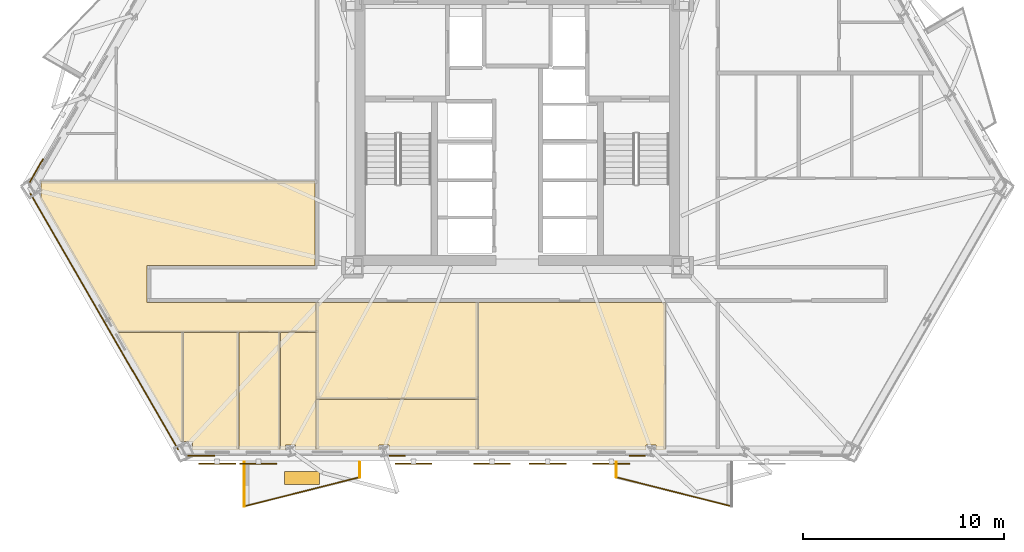
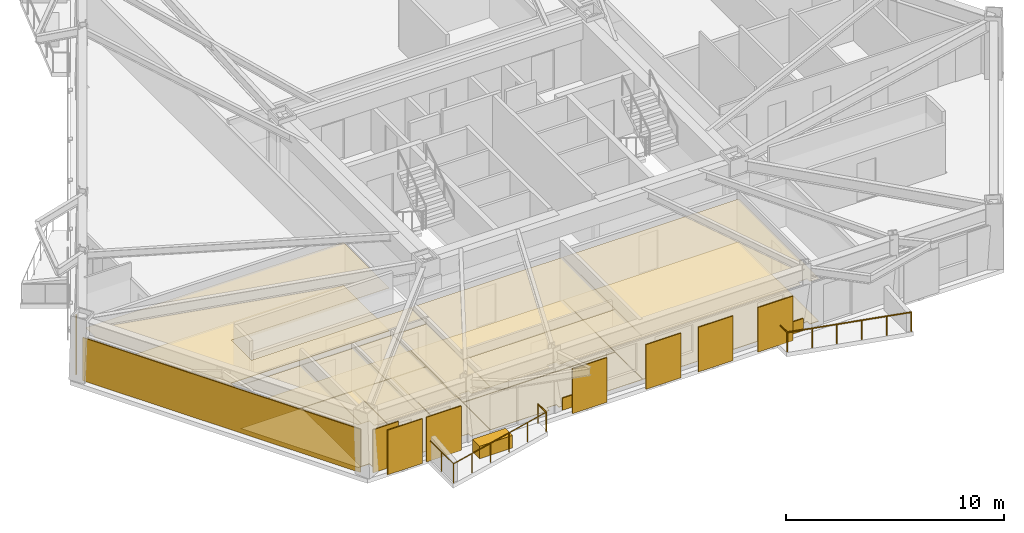
# One storey, part 7 of 13: 22 coverings, 6 shading devices, 5 railings.
"""IFC4 building model written with IfcOpenShell, lengths in metres."""

from ifc_helpers import new_model, si_unit, direction, frame, origin, origin_2d, place, context, subcontext, project, spatial, polyline, rectangle, circle, outline, extrude, material, layer, layer_set, type_object, element, save


model = new_model("IFC4")

# Units and contexts
model_context = context("Model", 3, precision=1e-05, world=origin(), true_north=direction((0.0, 1.0)))
body_context = subcontext(model_context, "Body", "Model", "MODEL_VIEW")
ifc_project = project(units=[si_unit("LENGTHUNIT", "METRE"), si_unit("AREAUNIT", "SQUARE_METRE"), si_unit("VOLUMEUNIT", "CUBIC_METRE"), si_unit("PLANEANGLEUNIT", "RADIAN"), si_unit("MASSUNIT", "GRAM", prefix="KILO")], contexts=[model_context])

# Site, building, storey
site_placement = place(None, origin())
site = spatial("IfcSite", under=ifc_project, at=site_placement, CompositionType="ELEMENT")
building_placement = place(site_placement, origin())
building = spatial("IfcBuilding", under=site, at=building_placement, Name="Oramaril Tower", CompositionType="ELEMENT")
storey_placement = place(building_placement, frame((0.0, 0.0, 41.699951171875)))
storey = spatial("IfcBuildingStorey", under=building, at=storey_placement, Name="L10", CompositionType="ELEMENT", Elevation=41.699951171875)

# Coverings
ifc_material_1 = material(Name="Mineral Fibre Acoustic Ceiling")
ifc_layer_1 = layer(ifc_material_1, 0.02001953125)
ifc_layer_set_1 = layer_set([ifc_layer_1], Name="CVT-CEIL")
covering_type_1 = type_object("IfcCoveringType", Name="CVT-CEIL", PredefinedType="CEILING", material=ifc_layer_set_1)
covering_1_placement = place(storey_placement, frame((0.0, 0.0, 2.400146484375)))
element("IfcCovering", 1, at=covering_1_placement, inside=storey, type_object=covering_type_1, Name="L10 Acoustic Suspended Ceiling 6", PredefinedType="CEILING", context=body_context, shape_type="SweptSolid", body=[
    extrude(outline(polyline([(27.508056640625, 9.199951171875), (35.5419921875, 9.199951171875), (35.5419921875, 4.410888671875), (27.508056640625, 4.410888671875), (27.508056640625, 9.199951171875)])), origin(), (0.0, 0.0, 1.0), 0.02001953125),
])
covering_2_placement = place(storey_placement, frame((0.0, 0.0, 2.400146484375)))
element("IfcCovering", 2, at=covering_2_placement, inside=storey, type_object=covering_type_1, Name="L10 Acoustic Suspended Ceiling 7", PredefinedType="CEILING", context=body_context, shape_type="SweptSolid", body=[
    extrude(outline(polyline([(31.11328125, 2.11474609375), (30.6201171875, 2.11474609375), (30.6201171875, 1.88427734375), (27.508056640625, 1.88427734375), (27.508056640625, 4.390869140625), (35.5419921875, 4.390869140625), (35.5419921875, 1.88427734375), (31.11328125, 1.88427734375), (31.11328125, 2.11474609375)])), origin(), (0.0, 0.0, 1.0), 0.02001953125),
])
covering_3_placement = place(storey_placement, frame((0.0, 0.0, 2.400146484375)))
element("IfcCovering", 3, at=covering_3_placement, inside=storey, type_object=covering_type_1, Name="L10 Acoustic Suspended Ceiling 8", PredefinedType="CEILING", context=body_context, shape_type="SweptSolid", body=[
    extrude(outline(polyline([(44.3798828125, 1.88427734375), (44.3798828125, 2.11474609375), (43.88671875, 2.11474609375), (43.88671875, 1.88427734375), (35.56201171875, 1.88427734375), (35.56201171875, 4.390869140625), (35.56201171875, 4.392822265625), (35.5615234375, 4.394775390625), (35.56103515625, 4.396728515625), (35.560546875, 4.398681640625), (35.5595703125, 4.400390625), (35.559326171875, 4.40087890625), (35.5595703125, 4.401611328125), (35.560546875, 4.4033203125), (35.56103515625, 4.405029296875), (35.5615234375, 4.406982421875), (35.56201171875, 4.408935546875), (35.56201171875, 4.410888671875), (35.56201171875, 9.199951171875), (44.863037109375, 9.199951171875), (44.863037109375, 1.88427734375), (44.3798828125, 1.88427734375)])), origin(), (0.0, 0.0, 1.0), 0.02001953125),
])
covering_4_placement = place(storey_placement, frame((0.0, 0.0, 2.400146484375)))
element("IfcCovering", 4, at=covering_4_placement, inside=storey, type_object=covering_type_1, Name="L10 Acoustic Suspended Ceiling 10", PredefinedType="CEILING", context=body_context, shape_type="SweptSolid", body=[
    extrude(outline(polyline([(17.631103515625, 7.724609375), (13.77197265625, 14.408935546875), (13.835693359375, 14.408935546875), (13.835693359375, 15.241943359375), (27.449951171875, 15.241943359375), (27.449951171875, 11.050048828125), (19.1201171875, 11.050048828125), (19.117919921875, 11.0498046875), (19.1162109375, 11.049560546875), (19.1142578125, 11.049072265625), (19.1123046875, 11.048583984375), (19.110595703125, 11.047607421875), (19.10888671875, 11.046630859375), (19.107421875, 11.04541015625), (19.10595703125, 11.044189453125), (19.1044921875, 11.042724609375), (19.103515625, 11.041015625), (19.102294921875, 11.039306640625), (19.1015625, 11.03759765625), (19.100830078125, 11.035888671875), (19.100341796875, 11.033935546875), (19.10009765625, 11.031982421875), (19.10009765625, 11.030029296875), (19.10009765625, 9.219970703125), (19.10009765625, 9.218017578125), (19.100341796875, 9.216064453125), (19.100830078125, 9.214111328125), (19.1015625, 9.21240234375), (19.102294921875, 9.210693359375), (19.103515625, 9.208984375), (19.1044921875, 9.207275390625), (19.10595703125, 9.205810546875), (19.107421875, 9.20458984375), (19.10888671875, 9.203369140625), (19.110595703125, 9.202392578125), (19.1123046875, 9.201416015625), (19.1142578125, 9.200927734375), (19.1162109375, 9.200439453125), (19.117919921875, 9.2001953125), (19.1201171875, 9.199951171875), (27.488037109375, 9.199951171875), (27.488037109375, 7.724609375), (17.631103515625, 7.724609375)])), origin(), (0.0, 0.0, 1.0), 0.02001953125),
])
covering_5_placement = place(storey_placement, frame((0.0, 0.0, 2.400146484375)))
element("IfcCovering", 5, at=covering_5_placement, inside=storey, type_object=covering_type_1, Name="L10 Acoustic Suspended Ceiling 11", PredefinedType="CEILING", context=body_context, shape_type="SweptSolid", body=[
    extrude(outline(polyline([(20.764404296875, 2.2978515625), (17.642578125, 7.70458984375), (20.899169921875, 7.70458984375), (20.899169921875, 2.2978515625), (20.764404296875, 2.2978515625)])), origin(), (0.0, 0.0, 1.0), 0.02001953125),
])
covering_6_placement = place(storey_placement, frame((0.0, 0.0, 2.400146484375)))
element("IfcCovering", 6, at=covering_6_placement, inside=storey, type_object=covering_type_1, Name="L10 Acoustic Suspended Ceiling 12", PredefinedType="CEILING", context=body_context, shape_type="SweptSolid", body=[
    extrude(outline(polyline([(21.360595703125, 1.88427734375), (21.360595703125, 2.2978515625), (20.919189453125, 2.2978515625), (20.919189453125, 7.70458984375), (23.652099609375, 7.70458984375), (23.652099609375, 1.88427734375), (21.360595703125, 1.88427734375)])), origin(), (0.0, 0.0, 1.0), 0.02001953125),
])
covering_7_placement = place(storey_placement, frame((0.0, 0.0, 2.400146484375)))
element("IfcCovering", 7, at=covering_7_placement, inside=storey, type_object=covering_type_1, Name="L10 Acoustic Suspended Ceiling 13", PredefinedType="CEILING", context=body_context, shape_type="SweptSolid", body=[
    extrude(outline(polyline([(23.672119140625, 1.88427734375), (23.672119140625, 7.70458984375), (25.701904296875, 7.70458984375), (25.701904296875, 1.88427734375), (23.672119140625, 1.88427734375)])), origin(), (0.0, 0.0, 1.0), 0.02001953125),
])
covering_8_placement = place(storey_placement, frame((0.0, 0.0, 2.400146484375)))
element("IfcCovering", 8, at=covering_8_placement, inside=storey, type_object=covering_type_1, Name="L10 Acoustic Suspended Ceiling 14", PredefinedType="CEILING", context=body_context, shape_type="SweptSolid", body=[
    extrude(outline(polyline([(26.476806640625, 1.88427734375), (26.476806640625, 2.11474609375), (25.97021484375, 2.11474609375), (25.97021484375, 1.88427734375), (25.721923828125, 1.88427734375), (25.721923828125, 7.70458984375), (27.488037109375, 7.70458984375), (27.488037109375, 4.410888671875), (27.488037109375, 4.408935546875), (27.48828125, 4.406982421875), (27.489013671875, 4.405029296875), (27.489501953125, 4.4033203125), (27.490478515625, 4.401611328125), (27.49072265625, 4.40087890625), (27.490478515625, 4.400390625), (27.489501953125, 4.398681640625), (27.489013671875, 4.396728515625), (27.48828125, 4.394775390625), (27.488037109375, 4.392822265625), (27.488037109375, 4.390869140625), (27.488037109375, 1.88427734375), (26.476806640625, 1.88427734375)])), origin(), (0.0, 0.0, 1.0), 0.02001953125),
])
ifc_material_2 = material(Name="Warm Cream Limestone", Category="masonry")
ifc_layer_2 = layer(ifc_material_2, 0.050048828125)
ifc_layer_set_2 = layer_set([ifc_layer_2], Name="CVT-CLD")
covering_type_2 = type_object("IfcCoveringType", Name="CVT-CLD", PredefinedType="CLADDING", material=ifc_layer_set_2)
covering_9_placement = place(storey_placement, frame((16.97900390625, 8.252197265625, 0.0400390625), z_axis=(0.0, 0.0, 1.0), x_axis=(0.499996976998, -0.866027149108, 0.0)))
element("IfcCovering", 9, at=covering_9_placement, inside=storey, type_object=covering_type_2, Name="L10 Warm Cream Limestone Cladding", PredefinedType="CLADDING", context=body_context, shape_type="SweptSolid", body=[
    extrude(rectangle(XDim=14.67822265625, YDim=0.050048828125, at=origin_2d()), origin(), (0.0, 0.0, 1.0), 2.4140625),
])
covering_10_placement = place(storey_placement, frame((21.790771484375, 1.583251953125, 0.0400390625), z_axis=(0.0, 0.0, 1.0), x_axis=(1.0, 0.0, 0.0)))
element("IfcCovering", 10, at=covering_10_placement, inside=storey, type_object=covering_type_2, Name="L10 Warm Cream Limestone Cladding", PredefinedType="CLADDING", context=body_context, shape_type="SweptSolid", body=[
    extrude(rectangle(XDim=1.35009765625, YDim=0.050048828125, at=origin_2d()), origin(), (0.0, 0.0, 1.0), 2.4140625),
])
for number, where, z_axis, x_axis, name in (
    (11, (31.538818359375, 1.583251953125, 0.0400390625), (0.0, 0.0, 1.0), (1.0, 0.0, 0.0), "L10 Warm Cream Limestone Spandrel Cladding"),
    (12, (43.461181640625, 1.583251953125, 0.0400390625), (0.0, 0.0, 1.0), (1.0, 0.0, 0.0), "L10 Warm Cream Limestone Spandrel Cladding"),
):
    element("IfcCovering", number, at=place(storey_placement, frame(where, z_axis=z_axis, x_axis=x_axis)), inside=storey, type_object=covering_type_2, Name=name, PredefinedType="CLADDING", context=body_context, shape_type="SweptSolid", body=[
        extrude(rectangle(XDim=0.800048828125, YDim=0.050048828125, at=origin_2d()), origin(), (0.0, 0.0, 1.0), 0.679931640625),
    ])
covering_11_placement = place(storey_placement, frame((13.609619140625, 15.753662109375, 0.0400390625), z_axis=(0.0, 0.0, 1.0), x_axis=(-0.5, -0.866025403784, 0.0)))
element("IfcCovering", 13, at=covering_11_placement, inside=storey, type_object=covering_type_2, Name="L10 Warm Cream Limestone Cladding", PredefinedType="CLADDING", context=body_context, shape_type="SweptSolid", body=[
    extrude(rectangle(XDim=1.35009765625, YDim=0.050048828125, at=origin_2d()), origin(), (0.0, 0.0, 1.0), 2.4140625),
])
covering_12_placement = place(storey_placement, frame((26.800048828125, 0.479736328125, 0.0), z_axis=(0.0, 0.0, 1.0), x_axis=(1.0, 0.0, 0.0)))
element("IfcCovering", 14, at=covering_12_placement, inside=storey, type_object=covering_type_2, Name="L10 Structural Tree Planter Box L10-BAL-S1", PredefinedType="CLADDING", context=body_context, shape_type="SweptSolid", body=[
    extrude(rectangle(XDim=1.75, YDim=0.64990234375, at=origin_2d()), origin(), (0.0, 0.0, 1.0), 0.699951171875),
])
ifc_material_3 = material(Name="Honed Quartzite Stone Flooring", Category="masonry")
ifc_layer_3 = layer(ifc_material_3, 0.02490234375)
ifc_layer_set_3 = layer_set([ifc_layer_3], Name="CVT-FLR")
covering_type_3 = type_object("IfcCoveringType", Name="CVT-FLR", PredefinedType="FLOORING", material=ifc_layer_set_3)
covering_13_placement = place(storey_placement, origin())
element("IfcCovering", 15, at=covering_13_placement, inside=storey, type_object=covering_type_3, Name="L10 Honed Stone Floor Finish 6", PredefinedType="FLOORING", context=body_context, shape_type="SweptSolid", body=[
    extrude(outline(polyline([(27.508056640625, 9.199951171875), (35.5419921875, 9.199951171875), (35.5419921875, 4.410888671875), (27.508056640625, 4.410888671875), (27.508056640625, 9.199951171875)])), origin(), (0.0, 0.0, 1.0), 0.025146484375),
])
covering_14_placement = place(storey_placement, origin())
element("IfcCovering", 16, at=covering_14_placement, inside=storey, type_object=covering_type_3, Name="L10 Honed Stone Floor Finish 7", PredefinedType="FLOORING", context=body_context, shape_type="SweptSolid", body=[
    extrude(outline(polyline([(31.11328125, 2.11474609375), (30.6201171875, 2.11474609375), (30.6201171875, 1.88427734375), (27.508056640625, 1.88427734375), (27.508056640625, 4.390869140625), (35.5419921875, 4.390869140625), (35.5419921875, 1.88427734375), (31.11328125, 1.88427734375), (31.11328125, 2.11474609375)])), origin(), (0.0, 0.0, 1.0), 0.025146484375),
])
covering_15_placement = place(storey_placement, origin())
element("IfcCovering", 17, at=covering_15_placement, inside=storey, type_object=covering_type_3, Name="L10 Honed Stone Floor Finish 8", PredefinedType="FLOORING", context=body_context, shape_type="SweptSolid", body=[
    extrude(outline(polyline([(44.3798828125, 1.88427734375), (44.3798828125, 2.11474609375), (43.88671875, 2.11474609375), (43.88671875, 1.88427734375), (35.56201171875, 1.88427734375), (35.56201171875, 4.390869140625), (35.56201171875, 4.392822265625), (35.5615234375, 4.394775390625), (35.56103515625, 4.396728515625), (35.560546875, 4.398681640625), (35.5595703125, 4.400390625), (35.559326171875, 4.40087890625), (35.5595703125, 4.401611328125), (35.560546875, 4.4033203125), (35.56103515625, 4.405029296875), (35.5615234375, 4.406982421875), (35.56201171875, 4.408935546875), (35.56201171875, 4.410888671875), (35.56201171875, 9.199951171875), (44.863037109375, 9.199951171875), (44.863037109375, 1.88427734375), (44.3798828125, 1.88427734375)])), origin(), (0.0, 0.0, 1.0), 0.025146484375),
])
covering_16_placement = place(storey_placement, origin())
element("IfcCovering", 18, at=covering_16_placement, inside=storey, type_object=covering_type_3, Name="L10 Honed Stone Floor Finish 10", PredefinedType="FLOORING", context=body_context, shape_type="SweptSolid", body=[
    extrude(outline(polyline([(17.631103515625, 7.724609375), (13.77197265625, 14.408935546875), (13.835693359375, 14.408935546875), (13.835693359375, 15.241943359375), (27.449951171875, 15.241943359375), (27.449951171875, 11.050048828125), (19.1201171875, 11.050048828125), (19.117919921875, 11.0498046875), (19.1162109375, 11.049560546875), (19.1142578125, 11.049072265625), (19.1123046875, 11.048583984375), (19.110595703125, 11.047607421875), (19.10888671875, 11.046630859375), (19.107421875, 11.04541015625), (19.10595703125, 11.044189453125), (19.1044921875, 11.042724609375), (19.103515625, 11.041015625), (19.102294921875, 11.039306640625), (19.1015625, 11.03759765625), (19.100830078125, 11.035888671875), (19.100341796875, 11.033935546875), (19.10009765625, 11.031982421875), (19.10009765625, 11.030029296875), (19.10009765625, 9.219970703125), (19.10009765625, 9.218017578125), (19.100341796875, 9.216064453125), (19.100830078125, 9.214111328125), (19.1015625, 9.21240234375), (19.102294921875, 9.210693359375), (19.103515625, 9.208984375), (19.1044921875, 9.207275390625), (19.10595703125, 9.205810546875), (19.107421875, 9.20458984375), (19.10888671875, 9.203369140625), (19.110595703125, 9.202392578125), (19.1123046875, 9.201416015625), (19.1142578125, 9.200927734375), (19.1162109375, 9.200439453125), (19.117919921875, 9.2001953125), (19.1201171875, 9.199951171875), (27.488037109375, 9.199951171875), (27.488037109375, 7.724609375), (17.631103515625, 7.724609375)])), origin(), (0.0, 0.0, 1.0), 0.025146484375),
])
covering_17_placement = place(storey_placement, origin())
element("IfcCovering", 19, at=covering_17_placement, inside=storey, type_object=covering_type_3, Name="L10 Honed Stone Floor Finish 11", PredefinedType="FLOORING", context=body_context, shape_type="SweptSolid", body=[
    extrude(outline(polyline([(20.764404296875, 2.2978515625), (17.642578125, 7.70458984375), (20.899169921875, 7.70458984375), (20.899169921875, 2.2978515625), (20.764404296875, 2.2978515625)])), origin(), (0.0, 0.0, 1.0), 0.025146484375),
])
covering_18_placement = place(storey_placement, origin())
element("IfcCovering", 20, at=covering_18_placement, inside=storey, type_object=covering_type_3, Name="L10 Honed Stone Floor Finish 12", PredefinedType="FLOORING", context=body_context, shape_type="SweptSolid", body=[
    extrude(outline(polyline([(21.360595703125, 1.88427734375), (21.360595703125, 2.2978515625), (20.919189453125, 2.2978515625), (20.919189453125, 7.70458984375), (23.652099609375, 7.70458984375), (23.652099609375, 1.88427734375), (21.360595703125, 1.88427734375)])), origin(), (0.0, 0.0, 1.0), 0.025146484375),
])
covering_19_placement = place(storey_placement, origin())
element("IfcCovering", 21, at=covering_19_placement, inside=storey, type_object=covering_type_3, Name="L10 Honed Stone Floor Finish 13", PredefinedType="FLOORING", context=body_context, shape_type="SweptSolid", body=[
    extrude(outline(polyline([(23.672119140625, 1.88427734375), (23.672119140625, 7.70458984375), (25.701904296875, 7.70458984375), (25.701904296875, 1.88427734375), (23.672119140625, 1.88427734375)])), origin(), (0.0, 0.0, 1.0), 0.025146484375),
])
covering_20_placement = place(storey_placement, origin())
element("IfcCovering", 22, at=covering_20_placement, inside=storey, type_object=covering_type_3, Name="L10 Honed Stone Floor Finish 14", PredefinedType="FLOORING", context=body_context, shape_type="SweptSolid", body=[
    extrude(outline(polyline([(26.476806640625, 1.88427734375), (26.476806640625, 2.11474609375), (25.97021484375, 2.11474609375), (25.97021484375, 1.88427734375), (25.721923828125, 1.88427734375), (25.721923828125, 7.70458984375), (27.488037109375, 7.70458984375), (27.488037109375, 4.410888671875), (27.488037109375, 4.408935546875), (27.48828125, 4.406982421875), (27.489013671875, 4.405029296875), (27.489501953125, 4.4033203125), (27.490478515625, 4.401611328125), (27.49072265625, 4.40087890625), (27.490478515625, 4.400390625), (27.489501953125, 4.398681640625), (27.489013671875, 4.396728515625), (27.48828125, 4.394775390625), (27.488037109375, 4.392822265625), (27.488037109375, 4.390869140625), (27.488037109375, 1.88427734375), (26.476806640625, 1.88427734375)])), origin(), (0.0, 0.0, 1.0), 0.025146484375),
])

# Railings
ifc_material_4 = material(Name="Stainless Steel 316L", Category="steel")
railing_type = type_object("IfcRailingType", Name="RLT-GRD", PredefinedType="GUARDRAIL", material=ifc_material_4)
railing_1_placement = place(storey_placement, frame((29.6650390625, 1.268310546875, 0.0)))
element("IfcRailing", 23, at=railing_1_placement, inside=storey, type_object=railing_type, Name="L10 Balcony Guardrail L10-BAL-S1.1", PredefinedType="GUARDRAIL", context=body_context, shape_type="SweptSolid", body=[
    extrude(circle(Radius=0.02392578125, at=origin_2d()), frame((0.0, 0.0, 1.076171875), z_axis=(0.0, -1.0, 0.0), x_axis=(1.0, 0.0, 0.0)), (0.0, 0.0, 1.0), 0.741943359375),
    extrude(circle(Radius=0.02099609375, at=origin_2d()), origin(), (0.0, 0.0, 1.0), 1.052001953125),
    extrude(circle(Radius=0.02099609375, at=origin_2d()), frame((0.0, -0.741943359375, 0.0)), (0.0, 0.0, 1.0), 1.052001953125),
])
railing_2_placement = place(storey_placement, frame((29.6650390625, 0.5263671875, 0.0)))
element("IfcRailing", 24, at=railing_2_placement, inside=storey, type_object=railing_type, Name="L10 Balcony Guardrail L10-BAL-S1.2", PredefinedType="GUARDRAIL", context=body_context, shape_type="SweptSolid", body=[
    extrude(circle(Radius=0.02392578125, at=origin_2d()), frame((0.0, 0.0, 1.076171875), z_axis=(-0.969443611257, -0.245314256807, 0.0), x_axis=(0.245314256807, -0.969443611257, 0.0)), (0.0, 0.0, 1.0), 5.91064453125),
    extrude(circle(Radius=0.02099609375, at=origin_2d()), origin(), (0.0, 0.0, 1.0), 1.052001953125),
    extrude(circle(Radius=0.02099609375, at=origin_2d()), frame((-1.14599609375, -0.2900390625, 0.0)), (0.0, 0.0, 1.0), 1.052001953125),
    extrude(circle(Radius=0.02099609375, at=origin_2d()), frame((-2.2919921875, -0.580078125, 0.0)), (0.0, 0.0, 1.0), 1.052001953125),
    extrude(circle(Radius=0.02099609375, at=origin_2d()), frame((-3.43798828125, -0.869873046875, 0.0)), (0.0, 0.0, 1.0), 1.052001953125),
    extrude(circle(Radius=0.02099609375, at=origin_2d()), frame((-4.583984375, -1.159912109375, 0.0)), (0.0, 0.0, 1.0), 1.052001953125),
    extrude(circle(Radius=0.02099609375, at=origin_2d()), frame((-5.72998046875, -1.449951171875, 0.0)), (0.0, 0.0, 1.0), 1.052001953125),
])
railing_3_placement = place(storey_placement, frame((23.93505859375, -0.923583984375, 0.0)))
element("IfcRailing", 25, at=railing_3_placement, inside=storey, type_object=railing_type, Name="L10 Balcony Guardrail L10-BAL-S1.3", PredefinedType="GUARDRAIL", context=body_context, shape_type="SweptSolid", body=[
    extrude(circle(Radius=0.02392578125, at=origin_2d()), frame((0.0, 0.0, 1.076171875), z_axis=(0.0, 1.0, 0.0), x_axis=(-1.0, 0.0, 0.0)), (0.0, 0.0, 1.0), 2.19189453125),
    extrude(circle(Radius=0.02099609375, at=origin_2d()), origin(), (0.0, 0.0, 1.0), 1.052001953125),
    extrude(circle(Radius=0.02099609375, at=origin_2d()), frame((0.0, 1.095947265625, 0.0)), (0.0, 0.0, 1.0), 1.052001953125),
    extrude(circle(Radius=0.02099609375, at=origin_2d()), frame((0.0, 2.19189453125, 0.0)), (0.0, 0.0, 1.0), 1.052001953125),
])
railing_4_placement = place(storey_placement, frame((48.139892578125, -0.923583984375, 0.0)))
element("IfcRailing", 26, at=railing_4_placement, inside=storey, type_object=railing_type, Name="L10 Balcony Guardrail L10-BAL-S2.2", PredefinedType="GUARDRAIL", context=body_context, shape_type="SweptSolid", body=[
    extrude(circle(Radius=0.02392578125, at=origin_2d()), frame((0.0, 0.0, 1.076171875), z_axis=(-0.969443611257, 0.245314256807, 0.0), x_axis=(-0.245314256807, -0.969443611257, 0.0)), (0.0, 0.0, 1.0), 5.91064453125),
    extrude(circle(Radius=0.02099609375, at=origin_2d()), origin(), (0.0, 0.0, 1.0), 1.052001953125),
    extrude(circle(Radius=0.02099609375, at=origin_2d()), frame((-1.14599609375, 0.2900390625, 0.0)), (0.0, 0.0, 1.0), 1.052001953125),
    extrude(circle(Radius=0.02099609375, at=origin_2d()), frame((-2.2919921875, 0.580078125, 0.0)), (0.0, 0.0, 1.0), 1.052001953125),
    extrude(circle(Radius=0.02099609375, at=origin_2d()), frame((-3.43798828125, 0.869873046875, 0.0)), (0.0, 0.0, 1.0), 1.052001953125),
    extrude(circle(Radius=0.02099609375, at=origin_2d()), frame((-4.583984375, 1.159912109375, 0.0)), (0.0, 0.0, 1.0), 1.052001953125),
    extrude(circle(Radius=0.02099609375, at=origin_2d()), frame((-5.72998046875, 1.449951171875, 0.0)), (0.0, 0.0, 1.0), 1.052001953125),
])
railing_5_placement = place(storey_placement, frame((42.409912109375, 0.5263671875, 0.0)))
element("IfcRailing", 27, at=railing_5_placement, inside=storey, type_object=railing_type, Name="L10 Balcony Guardrail L10-BAL-S2.3", PredefinedType="GUARDRAIL", context=body_context, shape_type="SweptSolid", body=[
    extrude(circle(Radius=0.02392578125, at=origin_2d()), frame((0.0, 0.0, 1.076171875), z_axis=(0.0, 1.0, 0.0), x_axis=(-1.0, 0.0, 0.0)), (0.0, 0.0, 1.0), 0.741943359375),
    extrude(circle(Radius=0.02099609375, at=origin_2d()), origin(), (0.0, 0.0, 1.0), 1.052001953125),
    extrude(circle(Radius=0.02099609375, at=origin_2d()), frame((0.0, 0.741943359375, 0.0)), (0.0, 0.0, 1.0), 1.052001953125),
])

# Shading devices
for number, where, z_axis, x_axis, name in (
    (28, (32.338623046875, 1.1962890625, -0.02001953125), (0.0, 0.0, 1.0), (1.0, 0.0, 0.0), "L10 Perforated Ceramic Solar Screen"),
    (29, (36.238525390625, 1.1962890625, -0.02001953125), (0.0, 0.0, 1.0), (1.0, 0.0, 0.0), "L10 Perforated Ceramic Solar Screen"),
    (30, (39.004150390625, 1.1962890625, -0.02001953125), (0.0, 0.0, 1.0), (1.0, 0.0, 0.0), "L10 Perforated Ceramic Solar Screen"),
    (31, (42.163818359375, 1.1962890625, -0.02001953125), (0.0, 0.0, 1.0), (1.0, 0.0, 0.0), "L10 Perforated Ceramic Solar Screen"),
    (32, (22.58349609375, 1.1962890625, -0.02001953125), (0.0, 0.0, 1.0), (1.0, 0.0, 0.0), "L10 Perforated Ceramic Solar Screen"),
    (33, (24.635009765625, 1.1962890625, -0.02001953125), (0.0, 0.0, 1.0), (1.0, 0.0, 0.0), "L10 Perforated Ceramic Solar Screen"),
):
    element("IfcShadingDevice", number, at=place(storey_placement, frame(where, z_axis=z_axis, x_axis=x_axis)), inside=storey, Name=name, ObjectType="SCREEN", PredefinedType="USERDEFINED", context=body_context, shape_type="SweptSolid", body=[
        extrude(rectangle(XDim=1.8330078125, YDim=0.050048828125, at=origin_2d()), origin(), (0.0, 0.0, 1.0), 2.493896484375),
    ])

save(model, "model.ifc")
